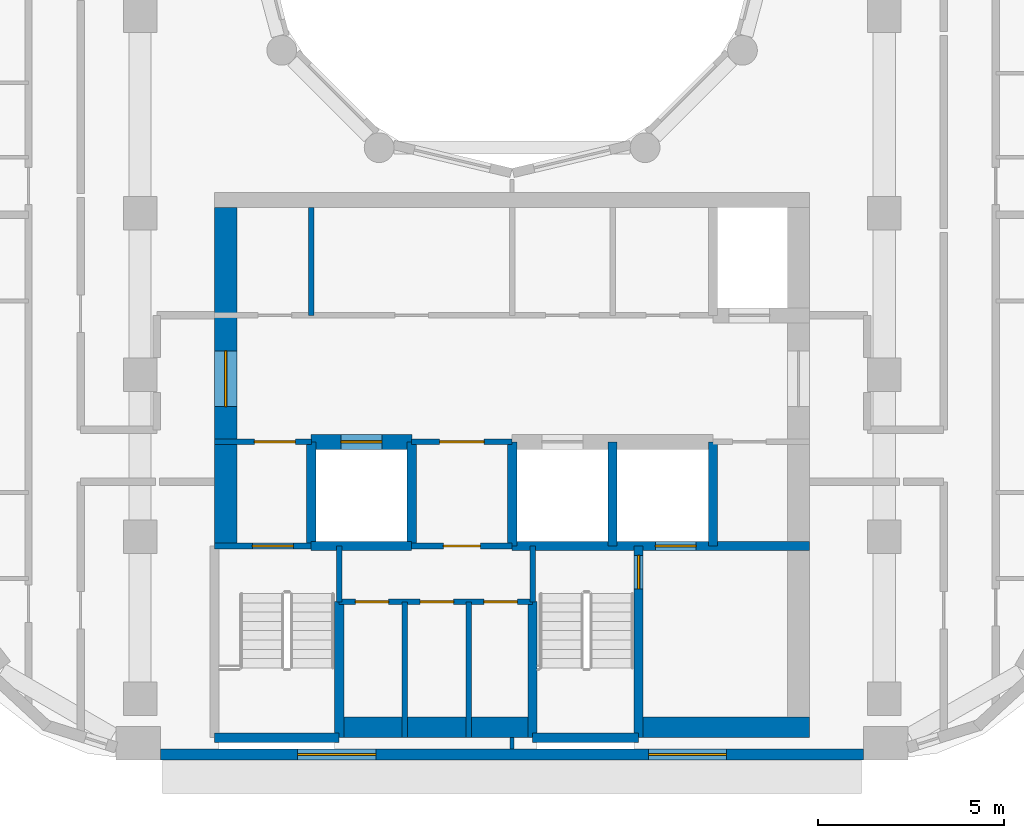
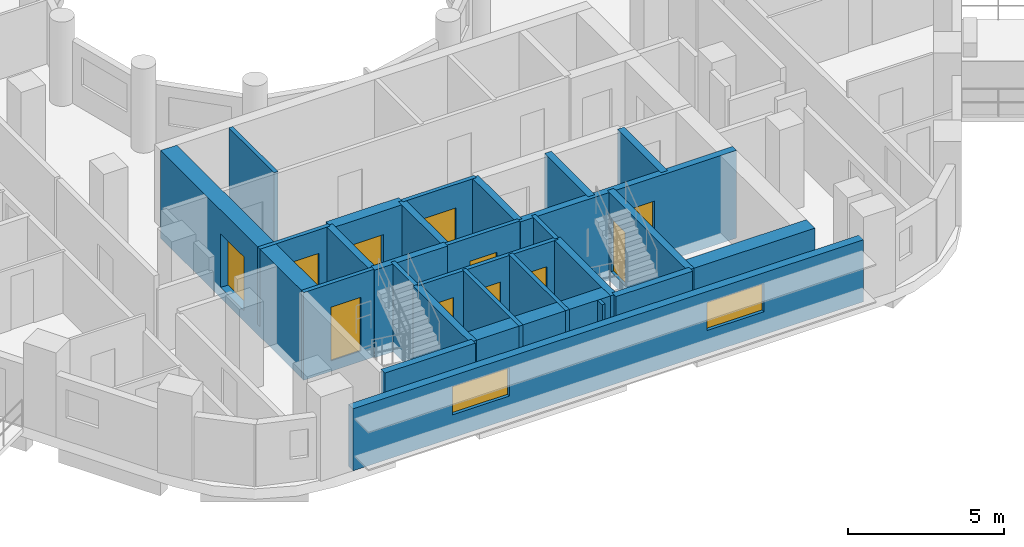
# One storey, part 3 of 18: 28 walls, 11 doors, 2 windows, 13 openings.
"""IFC4 building model written with IfcOpenShell, lengths in metres."""

from ifc_helpers import new_model, si_unit, direction, frame, frame_2d, origin, place, context, subcontext, project, spatial, rectangle, extrude, material, layer, layer_set, type_object, element, fill, save


model = new_model("IFC4")

# Units and contexts
model_context = context("Model", 3, precision=1e-05, world=origin(), true_north=direction((0.0, 1.0)))
body_context = subcontext(model_context, "Body", "Model", "MODEL_VIEW")
ifc_project = project(units=[si_unit("LENGTHUNIT", "METRE"), si_unit("AREAUNIT", "SQUARE_METRE"), si_unit("VOLUMEUNIT", "CUBIC_METRE"), si_unit("PLANEANGLEUNIT", "RADIAN"), si_unit("MASSUNIT", "GRAM", prefix="KILO")], contexts=[model_context])

# Site, building, storey
site_placement = place(None, origin())
site = spatial("IfcSite", under=ifc_project, at=site_placement, CompositionType="ELEMENT")
building_placement = place(site_placement, origin())
building = spatial("IfcBuilding", under=site, at=building_placement, Name="Nakaniwa Court", CompositionType="ELEMENT")
storey_placement = place(building_placement, frame((0.0, 0.0, 176.699951171875)))
storey = spatial("IfcBuildingStorey", under=building, at=storey_placement, Name="L45", CompositionType="ELEMENT", Elevation=176.699951171875)

# Wall, openings, windows
ifc_material_1 = material(Name="Charcoal ceramic cladding")
ifc_layer_1 = layer(ifc_material_1, 0.02, Name="Ceramic cladding")
ifc_material_2 = material(Name="Ventilated air cavity")
ifc_layer_2 = layer(ifc_material_2, 0.04, ventilated=True, Name="Ventilated cavity")
ifc_material_3 = material(Name="Mineral wool insulation")
ifc_layer_3 = layer(ifc_material_3, 0.1, Name="Insulation")
ifc_material_4 = material(Name="Cement bonded sheathing board")
ifc_layer_4 = layer(ifc_material_4, 0.012, Name="Sheathing")
ifc_material_5 = material(Name="Cold-formed galvanised stud frame with mineral wool infill")
ifc_layer_5 = layer(ifc_material_5, 0.1, Name="Stud frame")
ifc_material_6 = material(Name="Fire-rated gypsum plasterboard lining")
ifc_layer_6 = layer(ifc_material_6, 0.028, Name="Lining")
ifc_layer_set_1 = layer_set([ifc_layer_1, ifc_layer_2, ifc_layer_3, ifc_layer_4, ifc_layer_5, ifc_layer_6], Name="Charcoal ceramic faced external wall system")
wall_type_1 = type_object("IfcWallType", Name="Black ceramic faced external wall 300", PredefinedType="SOLIDWALL", material=ifc_layer_set_1)
wall_1_placement = place(storey_placement, frame((70.55078125, 57.5, 0.0), z_axis=(0.0, 0.0, 1.0), x_axis=(1.0, 0.0, 0.0)))
wall_1 = element("IfcWall", 1, at=wall_1_placement, inside=storey, type_object=wall_type_1, Name="L45 external wall 26", PredefinedType="SOLIDWALL", context=body_context, shape_type="SweptSolid", body=[
    extrude(rectangle(XDim=18.892822265625, YDim=0.300048828125, at=frame_2d((9.4462890625, 0.0))), origin(), (0.0, 0.0, 1.0), 2.425048828125),
])
opening_1_placement = place(wall_1_placement, frame((3.6865234375, 0.0, 0.89990234375)))
opening_1 = element("IfcOpeningElement", 2, at=opening_1_placement, cuts=wall_1, Name="Opening W7.26", PredefinedType="OPENING", context=body_context, shape_type="SweptSolid", body=[
    extrude(rectangle(XDim=2.10009765625, YDim=1.10009765625, at=frame_2d((1.050048828125, 0.550048828125))), frame((0.0, 0.159912109375, 0.0), z_axis=(0.0, -1.0, 0.0), x_axis=(1.0, 0.0, 0.0)), (0.0, 0.0, 1.0), 0.320068359375),
])
opening_2_placement = place(wall_1_placement, frame((13.10888671875, 0.0, 0.89990234375)))
opening_2 = element("IfcOpeningElement", 3, at=opening_2_placement, cuts=wall_1, Name="Opening W7.27", PredefinedType="OPENING", context=body_context, shape_type="SweptSolid", body=[
    extrude(rectangle(XDim=2.10009765625, YDim=1.10009765625, at=frame_2d((1.050048828125, 0.550048828125))), frame((0.0, 0.159912109375, 0.0), z_axis=(0.0, -1.0, 0.0), x_axis=(1.0, 0.0, 0.0)), (0.0, 0.0, 1.0), 0.320068359375),
])
ifc_material_7 = material(Name="Black anodised aluminium frame with dark low-E laminated double glazing", Category="aluminium")
window_type = type_object("IfcWindowType", Name="Dark glass window 2100x1100 sill 900", PartitioningType="SINGLE_PANEL", PredefinedType="WINDOW", material=ifc_material_7)
window_1_placement = place(opening_1_placement, origin())
window_1 = element("IfcWindow", 4, at=window_1_placement, inside=storey, type_object=window_type, Name="L45 habitable room window 26-0", OverallHeight=1.10009765625, OverallWidth=2.10009765625, PartitioningType="SINGLE_PANEL", PredefinedType="WINDOW", context=body_context, shape_type="SweptSolid", body=[
    extrude(rectangle(XDim=2.10009765625, YDim=1.10009765625, at=frame_2d((1.050048828125, 0.550048828125))), frame((0.0, 0.030029296875, 0.0), z_axis=(0.0, -1.0, 0.0), x_axis=(1.0, 0.0, 0.0)), (0.0, 0.0, 1.0), 0.06005859375),
])
fill(opening_1, window_1)
window_2_placement = place(opening_2_placement, origin())
window_2 = element("IfcWindow", 5, at=window_2_placement, inside=storey, type_object=window_type, Name="L45 habitable room window 26-1", OverallHeight=1.10009765625, OverallWidth=2.10009765625, PartitioningType="SINGLE_PANEL", PredefinedType="WINDOW", context=body_context, shape_type="SweptSolid", body=[
    extrude(rectangle(XDim=2.10009765625, YDim=1.10009765625, at=frame_2d((1.050048828125, 0.550048828125))), frame((0.0, 0.030029296875, 0.0), z_axis=(0.0, -1.0, 0.0), x_axis=(1.0, 0.0, 0.0)), (0.0, 0.0, 1.0), 0.06005859375),
])
fill(opening_2, window_2)

# Wall
ifc_material_8 = material(Name="Blockwork partition", Category="masonry")
ifc_layer_7 = layer(ifc_material_8, 0.14990234375)
ifc_layer_set_2 = layer_set([ifc_layer_7], Name="Blockwork partition")
wall_type_2 = type_object("IfcWallType", Name="Blockwork partition 150", PredefinedType="PARTITIONING", material=ifc_layer_set_2)
wall_2_placement = place(storey_placement, frame((74.60009765625, 69.300048828125, 0.0), z_axis=(0.0, 0.0, 1.0), x_axis=(0.0, 1.0, 0.0)))
element("IfcWall", 6, at=wall_2_placement, inside=storey, type_object=wall_type_2, Name="Partition PW-036", PredefinedType="PARTITIONING", context=body_context, shape_type="SweptSolid", body=[
    extrude(rectangle(XDim=2.89990234375, YDim=0.14990234375, at=frame_2d((1.449951171875, 0.0))), origin(), (0.0, 0.0, 1.0), 3.025146484375),
])

# Wall, opening, door
wall_3_placement = place(storey_placement, frame((74.60302734375, 65.89990234375, 0.0), z_axis=(0.0, 0.0, 1.0), x_axis=(-1.0, 0.0, 0.0)))
wall_3 = element("IfcWall", 7, at=wall_3_placement, inside=storey, type_object=wall_type_2, Name="Partition PW-045", PredefinedType="PARTITIONING", context=body_context, shape_type="SweptSolid", body=[
    extrude(rectangle(XDim=2.60302734375, YDim=0.14990234375, at=frame_2d((1.301513671875, 0.0))), origin(), (0.0, 0.0, 1.0), 3.025146484375),
])
opening_3_placement = place(wall_3_placement, frame((0.427978515625, 0.0, 0.0)))
opening_3 = element("IfcOpeningElement", 8, at=opening_3_placement, cuts=wall_3, Name="Opening D-08-02", PredefinedType="OPENING", context=body_context, shape_type="SweptSolid", body=[
    extrude(rectangle(XDim=1.10009765625, YDim=2.10009765625, at=frame_2d((0.550048828125, 1.050048828125))), frame((0.0, 0.0849609375, 0.0), z_axis=(0.0, -1.0, 0.0), x_axis=(1.0, 0.0, 0.0)), (0.0, 0.0, 1.0), 0.169921875),
])
ifc_material_9 = material(Name="Fire rated steel door set", Category="steel")
door_type_1 = type_object("IfcDoorType", Name="Stair lobby door 1100", OperationType="NOTDEFINED", PredefinedType="DOOR", material=ifc_material_9)
door_1_placement = place(opening_3_placement, origin())
door_1 = element("IfcDoor", 9, at=door_1_placement, inside=storey, type_object=door_type_1, Name="Door D-08-02 L45-018", OperationType="SINGLE_SWING_LEFT", OverallHeight=2.10009765625, OverallWidth=1.10009765625, PredefinedType="DOOR", context=body_context, shape_type="SweptSolid", body=[
    extrude(rectangle(XDim=1.10009765625, YDim=2.10009765625, at=frame_2d((0.550048828125, 1.050048828125))), frame((0.0, 0.02490234375, 0.0), z_axis=(0.0, -1.0, 0.0), x_axis=(1.0, 0.0, 0.0)), (0.0, 0.0, 1.0), 0.050048828125),
])
fill(opening_3, door_1)

wall_4_placement = place(storey_placement, frame((80.0029296875, 65.89990234375, 0.0), z_axis=(0.0, 0.0, 1.0), x_axis=(-1.0, 0.0, 0.0)))
wall_4 = element("IfcWall", 10, at=wall_4_placement, inside=storey, type_object=wall_type_2, Name="Partition PW-046", PredefinedType="PARTITIONING", context=body_context, shape_type="SweptSolid", body=[
    extrude(rectangle(XDim=2.705810546875, YDim=0.14990234375, at=frame_2d((1.35302734375, 0.0))), origin(), (0.0, 0.0, 1.0), 3.025146484375),
])
opening_4_placement = place(wall_4_placement, frame((0.7529296875, 0.0, 0.0)))
opening_4 = element("IfcOpeningElement", 11, at=opening_4_placement, cuts=wall_4, Name="Opening D-06-02", PredefinedType="OPENING", context=body_context, shape_type="SweptSolid", body=[
    extrude(rectangle(XDim=1.199951171875, YDim=2.10009765625, at=frame_2d((0.60009765625, 1.050048828125))), frame((0.0, 0.0849609375, 0.0), z_axis=(0.0, -1.0, 0.0), x_axis=(1.0, 0.0, 0.0)), (0.0, 0.0, 1.0), 0.169921875),
])
ifc_material_10 = material(Name="Fire rated steel double door set", Category="steel")
door_type_2 = type_object("IfcDoorType", Name="Service passage double door 1200", OperationType="NOTDEFINED", PredefinedType="DOOR", material=ifc_material_10)
door_2_placement = place(opening_4_placement, origin())
door_2 = element("IfcDoor", 12, at=door_2_placement, inside=storey, type_object=door_type_2, Name="Door D-06-02 L45-019", OperationType="DOUBLE_DOOR_SINGLE_SWING", OverallHeight=2.10009765625, OverallWidth=1.199951171875, PredefinedType="DOOR", context=body_context, shape_type="SweptSolid", body=[
    extrude(rectangle(XDim=1.199951171875, YDim=2.10009765625, at=frame_2d((0.60009765625, 1.050048828125))), frame((0.0, 0.02490234375, 0.0), z_axis=(0.0, -1.0, 0.0), x_axis=(1.0, 0.0, 0.0)), (0.0, 0.0, 1.0), 0.050048828125),
])
fill(opening_4, door_2)

wall_5_placement = place(storey_placement, frame((80.0, 63.10009765625, 0.0), z_axis=(0.0, 0.0, 1.0), x_axis=(-1.0, 0.0, 0.0)))
wall_5 = element("IfcWall", 13, at=wall_5_placement, inside=storey, type_object=wall_type_2, Name="Partition PW-056", PredefinedType="PARTITIONING", context=body_context, shape_type="SweptSolid", body=[
    extrude(rectangle(XDim=2.699951171875, YDim=0.14990234375, at=frame_2d((1.35009765625, 0.0))), origin(), (0.0, 0.0, 1.0), 3.025146484375),
])
opening_5_placement = place(wall_5_placement, frame((0.85009765625, 0.0, 0.0)))
opening_5 = element("IfcOpeningElement", 14, at=opening_5_placement, cuts=wall_5, Name="Opening D-23-02", PredefinedType="OPENING", context=body_context, shape_type="SweptSolid", body=[
    extrude(rectangle(XDim=1.0, YDim=2.10009765625, at=frame_2d((0.5, 1.050048828125))), frame((0.0, 0.0849609375, 0.0), z_axis=(0.0, -1.0, 0.0), x_axis=(1.0, 0.0, 0.0)), (0.0, 0.0, 1.0), 0.169921875),
])
door_type_3 = type_object("IfcDoorType", Name="Service room door 1000", OperationType="NOTDEFINED", PredefinedType="DOOR", material=ifc_material_9)
door_3_placement = place(opening_5_placement, origin())
door_3 = element("IfcDoor", 15, at=door_3_placement, inside=storey, type_object=door_type_3, Name="Door D-23-02 L45-021", OperationType="SINGLE_SWING_RIGHT", OverallHeight=2.10009765625, OverallWidth=1.0, PredefinedType="DOOR", context=body_context, shape_type="SweptSolid", body=[
    extrude(rectangle(XDim=1.0, YDim=2.10009765625, at=frame_2d((0.5, 1.050048828125))), frame((0.0, 0.02490234375, 0.0), z_axis=(0.0, -1.0, 0.0), x_axis=(1.0, 0.0, 0.0)), (0.0, 0.0, 1.0), 0.050048828125),
])
fill(opening_5, door_3)

# Wall, openings, doors
wall_6_placement = place(storey_placement, frame((80.550048828125, 61.60009765625, 0.0), z_axis=(0.0, 0.0, 1.0), x_axis=(-1.0, 0.0, 0.0)))
wall_6 = element("IfcWall", 16, at=wall_6_placement, inside=storey, type_object=wall_type_2, Name="Partition PW-068", PredefinedType="PARTITIONING", context=body_context, shape_type="SweptSolid", body=[
    extrude(rectangle(XDim=5.199951171875, YDim=0.14990234375, at=frame_2d((2.60009765625, 0.0))), origin(), (0.0, 0.0, 1.0), 3.025146484375),
])
opening_6_placement = place(wall_6_placement, frame((3.865966796875, 0.0, 0.0)))
opening_6 = element("IfcOpeningElement", 17, at=opening_6_placement, cuts=wall_6, Name="Opening D-05-14", PredefinedType="OPENING", context=body_context, shape_type="SweptSolid", body=[
    extrude(rectangle(XDim=0.89990234375, YDim=2.10009765625, at=frame_2d((0.449951171875, 1.050048828125))), frame((0.0, 0.0849609375, 0.0), z_axis=(0.0, -1.0, 0.0), x_axis=(1.0, 0.0, 0.0)), (0.0, 0.0, 1.0), 0.169921875),
])
opening_7_placement = place(wall_6_placement, frame((2.1240234375, 0.0, 0.0)))
opening_7 = element("IfcOpeningElement", 18, at=opening_7_placement, cuts=wall_6, Name="Opening D-05-15", PredefinedType="OPENING", context=body_context, shape_type="SweptSolid", body=[
    extrude(rectangle(XDim=0.89990234375, YDim=2.10009765625, at=frame_2d((0.449951171875, 1.050048828125))), frame((0.0, 0.0849609375, 0.0), z_axis=(0.0, -1.0, 0.0), x_axis=(1.0, 0.0, 0.0)), (0.0, 0.0, 1.0), 0.169921875),
])
opening_8_placement = place(wall_6_placement, frame((0.407958984375, 0.0, 0.0)))
opening_8 = element("IfcOpeningElement", 19, at=opening_8_placement, cuts=wall_6, Name="Opening D-05-16", PredefinedType="OPENING", context=body_context, shape_type="SweptSolid", body=[
    extrude(rectangle(XDim=0.89990234375, YDim=2.10009765625, at=frame_2d((0.449951171875, 1.050048828125))), frame((0.0, 0.0849609375, 0.0), z_axis=(0.0, -1.0, 0.0), x_axis=(1.0, 0.0, 0.0)), (0.0, 0.0, 1.0), 0.169921875),
])
door_type_4 = type_object("IfcDoorType", Name="Service room door 900", OperationType="NOTDEFINED", PredefinedType="DOOR", material=ifc_material_9)
door_4_placement = place(opening_6_placement, origin())
door_4 = element("IfcDoor", 20, at=door_4_placement, inside=storey, type_object=door_type_4, Name="Door D-05-14 L45-022", OperationType="SINGLE_SWING_LEFT", OverallHeight=2.10009765625, OverallWidth=0.89990234375, PredefinedType="DOOR", context=body_context, shape_type="SweptSolid", body=[
    extrude(rectangle(XDim=0.89990234375, YDim=2.10009765625, at=frame_2d((0.449951171875, 1.050048828125))), frame((0.0, 0.02490234375, 0.0), z_axis=(0.0, -1.0, 0.0), x_axis=(1.0, 0.0, 0.0)), (0.0, 0.0, 1.0), 0.050048828125),
])
fill(opening_6, door_4)
door_5_placement = place(opening_7_placement, origin())
door_5 = element("IfcDoor", 21, at=door_5_placement, inside=storey, type_object=door_type_4, Name="Door D-05-15 L45-023", OperationType="SINGLE_SWING_RIGHT", OverallHeight=2.10009765625, OverallWidth=0.89990234375, PredefinedType="DOOR", context=body_context, shape_type="SweptSolid", body=[
    extrude(rectangle(XDim=0.89990234375, YDim=2.10009765625, at=frame_2d((0.449951171875, 1.050048828125))), frame((0.0, 0.02490234375, 0.0), z_axis=(0.0, -1.0, 0.0), x_axis=(1.0, 0.0, 0.0)), (0.0, 0.0, 1.0), 0.050048828125),
])
fill(opening_7, door_5)
door_6_placement = place(opening_8_placement, origin())
door_6 = element("IfcDoor", 22, at=door_6_placement, inside=storey, type_object=door_type_4, Name="Door D-05-16 L45-024", OperationType="SINGLE_SWING_LEFT", OverallHeight=2.10009765625, OverallWidth=0.89990234375, PredefinedType="DOOR", context=body_context, shape_type="SweptSolid", body=[
    extrude(rectangle(XDim=0.89990234375, YDim=2.10009765625, at=frame_2d((0.449951171875, 1.050048828125))), frame((0.0, 0.02490234375, 0.0), z_axis=(0.0, -1.0, 0.0), x_axis=(1.0, 0.0, 0.0)), (0.0, 0.0, 1.0), 0.050048828125),
])
fill(opening_8, door_6)

# Walls
for number, where, z_axis, x_axis, name in (
    (23, (77.117919921875, 57.949951171875, 0.0), (0.0, 0.0, 1.0), (0.0, 1.0, 0.0), "Partition PW-069"),
    (24, (78.833984375, 57.949951171875, 0.0), (0.0, 0.0, 1.0), (0.0, 1.0, 0.0), "Partition PW-070"),
):
    element("IfcWall", number, at=place(storey_placement, frame(where, z_axis=z_axis, x_axis=x_axis)), inside=storey, type_object=wall_type_2, Name=name, PredefinedType="PARTITIONING", context=body_context, shape_type="SweptSolid", body=[
        extrude(rectangle(XDim=3.650146484375, YDim=0.14990234375, at=frame_2d((1.8251953125, 0.0))), origin(), (0.0, 0.0, 1.0), 3.025146484375),
    ])

# Wall, opening, door
ifc_material_11 = material(Name="Concrete C80/100", Category="concrete")
ifc_layer_8 = layer(ifc_material_11, 0.60009765625)
ifc_layer_set_3 = layer_set([ifc_layer_8], Name="Concrete C80/100")
wall_type_3 = type_object("IfcWallType", Name="Concrete core side wall 600 C80", PredefinedType="SHEAR", material=ifc_layer_set_3)
wall_7_placement = place(storey_placement, frame((72.300048828125, 63.10009765625, -0.409912109375), z_axis=(0.0, 0.0, 1.0), x_axis=(0.0, 1.0, 0.0)))
wall_7 = element("IfcWall", 25, at=wall_7_placement, inside=storey, type_object=wall_type_3, Name="Core wall SW-38", PredefinedType="SHEAR", context=body_context, shape_type="SweptSolid", body=[
    extrude(rectangle(XDim=9.099853515625, YDim=0.60009765625, at=frame_2d((4.5498046875, 0.0))), origin(), (0.0, 0.0, 1.0), 3.43505859375),
])
opening_9_placement = place(wall_7_placement, frame((3.748046875, 0.0, 0.409912109375)))
opening_9 = element("IfcOpeningElement", 26, at=opening_9_placement, cuts=wall_7, Name="Opening D-07-04", PredefinedType="OPENING", context=body_context, shape_type="SweptSolid", body=[
    extrude(rectangle(XDim=1.5, YDim=2.10009765625, at=frame_2d((0.75, 1.050048828125))), frame((0.0, 0.31005859375, 0.0), z_axis=(0.0, -1.0, 0.0), x_axis=(1.0, 0.0, 0.0)), (0.0, 0.0, 1.0), 0.6201171875),
])
ifc_material_12 = material(Name="Glazed fire rated steel double door set", Category="steel")
door_type_5 = type_object("IfcDoorType", Name="Lobby double door 1500", OperationType="NOTDEFINED", PredefinedType="DOOR", material=ifc_material_12)
door_7_placement = place(opening_9_placement, origin())
door_7 = element("IfcDoor", 27, at=door_7_placement, inside=storey, type_object=door_type_5, Name="Door D-07-04 L45-066", OperationType="DOUBLE_DOOR_SINGLE_SWING", OverallHeight=2.10009765625, OverallWidth=1.5, PredefinedType="DOOR", context=body_context, shape_type="SweptSolid", body=[
    extrude(rectangle(XDim=1.5, YDim=2.10009765625, at=frame_2d((0.75, 1.050048828125))), frame((0.0, 0.02490234375, 0.0), z_axis=(0.0, -1.0, 0.0), x_axis=(1.0, 0.0, 0.0)), (0.0, 0.0, 1.0), 0.050048828125),
])
fill(opening_9, door_7)

ifc_layer_9 = layer(ifc_material_11, 0.39990234375)
ifc_layer_set_4 = layer_set([ifc_layer_9], Name="Concrete C80/100")
wall_type_4 = type_object("IfcWallType", Name="Concrete core spine wall 400 C80", PredefinedType="SHEAR", material=ifc_layer_set_4)
wall_8_placement = place(storey_placement, frame((74.596923828125, 65.89990234375, -0.409912109375), z_axis=(0.0, 0.0, 1.0), x_axis=(1.0, 0.0, 0.0)))
wall_8 = element("IfcWall", 28, at=wall_8_placement, inside=storey, type_object=wall_type_4, Name="Core wall SW-48", PredefinedType="SHEAR", context=body_context, shape_type="SweptSolid", body=[
    extrude(rectangle(XDim=2.7060546875, YDim=0.39990234375, at=frame_2d((1.35302734375, 0.0))), origin(), (0.0, 0.0, 1.0), 3.43505859375),
])
opening_10_placement = place(wall_8_placement, frame((0.802978515625, 0.0, 0.409912109375)))
opening_10 = element("IfcOpeningElement", 29, at=opening_10_placement, cuts=wall_8, Name="Opening LD06", PredefinedType="OPENING", context=body_context, shape_type="SweptSolid", body=[
    extrude(rectangle(XDim=1.10009765625, YDim=2.10009765625, at=frame_2d((0.550048828125, 1.050048828125))), frame((0.0, 0.2099609375, 0.0), z_axis=(0.0, -1.0, 0.0), x_axis=(1.0, 0.0, 0.0)), (0.0, 0.0, 1.0), 0.419921875),
])
ifc_material_13 = material(Name="Stainless steel sliding lift landing door", Category="steel")
door_type_6 = type_object("IfcDoorType", Name="Lift landing door 1100", OperationType="NOTDEFINED", PredefinedType="DOOR", material=ifc_material_13)
door_8_placement = place(opening_10_placement, origin())
door_8 = element("IfcDoor", 30, at=door_8_placement, inside=storey, type_object=door_type_6, Name="Lift landing door LD06 L45-006", OperationType="SLIDING_TO_LEFT", OverallHeight=2.10009765625, OverallWidth=1.10009765625, PredefinedType="DOOR", context=body_context, shape_type="SweptSolid", body=[
    extrude(rectangle(XDim=1.10009765625, YDim=2.10009765625, at=frame_2d((0.550048828125, 1.050048828125))), frame((0.0, 0.02490234375, 0.0), z_axis=(0.0, -1.0, 0.0), x_axis=(1.0, 0.0, 0.0)), (0.0, 0.0, 1.0), 0.050048828125),
])
fill(opening_10, door_8)

ifc_layer_10 = layer(ifc_material_11, 0.14990234375)
ifc_layer_set_5 = layer_set([ifc_layer_10], Name="Concrete C80/100")
wall_type_5 = type_object("IfcWallType", Name="Concrete core wall 150 C80", PredefinedType="SHEAR", material=ifc_layer_set_5)
wall_9_placement = place(storey_placement, frame((72.0, 63.10009765625, -0.409912109375), z_axis=(0.0, 0.0, 1.0), x_axis=(1.0, 0.0, 0.0)))
wall_9 = element("IfcWall", 31, at=wall_9_placement, inside=storey, type_object=wall_type_5, Name="Core wall SW-51", PredefinedType="SHEAR", context=body_context, shape_type="SweptSolid", body=[
    extrude(rectangle(XDim=2.60009765625, YDim=0.14990234375, at=frame_2d((1.300048828125, 0.0))), origin(), (0.0, 0.0, 1.0), 3.43505859375),
])
opening_11_placement = place(wall_9_placement, frame((1.02001953125, 0.0, 0.409912109375)))
opening_11 = element("IfcOpeningElement", 32, at=opening_11_placement, cuts=wall_9, Name="Opening D-09-02", PredefinedType="OPENING", context=body_context, shape_type="SweptSolid", body=[
    extrude(rectangle(XDim=1.10009765625, YDim=2.10009765625, at=frame_2d((0.550048828125, 1.050048828125))), frame((0.0, 0.0849609375, 0.0), z_axis=(0.0, -1.0, 0.0), x_axis=(1.0, 0.0, 0.0)), (0.0, 0.0, 1.0), 0.169921875),
])
door_type_7 = type_object("IfcDoorType", Name="Stair door 1100", OperationType="NOTDEFINED", PredefinedType="DOOR", material=ifc_material_9)
door_9_placement = place(opening_11_placement, origin())
door_9 = element("IfcDoor", 33, at=door_9_placement, inside=storey, type_object=door_type_7, Name="Door D-09-02 L45-025", OperationType="SINGLE_SWING_LEFT", OverallHeight=2.10009765625, OverallWidth=1.10009765625, PredefinedType="DOOR", context=body_context, shape_type="SweptSolid", body=[
    extrude(rectangle(XDim=1.10009765625, YDim=2.10009765625, at=frame_2d((0.550048828125, 1.050048828125))), frame((0.0, 0.02490234375, 0.0), z_axis=(0.0, -1.0, 0.0), x_axis=(1.0, 0.0, 0.0)), (0.0, 0.0, 1.0), 0.050048828125),
])
fill(opening_11, door_9)

# Walls
for number, where, z_axis, x_axis, name in (
    (34, (75.35009765625, 61.596923828125, -0.409912109375), (0.0, 0.0, 1.0), (0.0, 1.0, 0.0), "Core wall SW-58"),
    (35, (80.550048828125, 61.596923828125, -0.409912109375), (0.0, 0.0, 1.0), (0.0, 1.0, 0.0), "Core wall SW-64"),
):
    element("IfcWall", number, at=place(storey_placement, frame(where, z_axis=z_axis, x_axis=x_axis)), inside=storey, type_object=wall_type_5, Name=name, PredefinedType="SHEAR", context=body_context, shape_type="SweptSolid", body=[
        extrude(rectangle(XDim=1.503173828125, YDim=0.14990234375, at=frame_2d((0.75146484375, 0.0))), origin(), (0.0, 0.0, 1.0), 3.43505859375),
    ])
ifc_layer_11 = layer(ifc_material_11, 0.25)
ifc_layer_set_6 = layer_set([ifc_layer_11], Name="Concrete C80/100")
wall_type_6 = type_object("IfcWallType", Name="Concrete core wall 250 C80", PredefinedType="SHEAR", material=ifc_layer_set_6)
wall_10_placement = place(storey_placement, frame((72.0, 57.949951171875, 0.0), z_axis=(0.0, 0.0, 1.0), x_axis=(1.0, 0.0, 0.0)))
element("IfcWall", 36, at=wall_10_placement, inside=storey, type_object=wall_type_6, Name="Core wall SW-61", PredefinedType="SHEAR", context=body_context, shape_type="SweptSolid", body=[
    extrude(rectangle(XDim=3.35009765625, YDim=0.25, at=frame_2d((1.675048828125, 0.0))), origin(), (0.0, 0.0, 1.0), 3.025146484375),
])
wall_11_placement = place(storey_placement, frame((80.550048828125, 57.949951171875, 0.0), z_axis=(0.0, 0.0, 1.0), x_axis=(1.0, 0.0, 0.0)))
element("IfcWall", 37, at=wall_11_placement, inside=storey, type_object=wall_type_6, Name="Core wall SW-62", PredefinedType="SHEAR", context=body_context, shape_type="SweptSolid", body=[
    extrude(rectangle(XDim=2.849853515625, YDim=0.25, at=frame_2d((1.4248046875, 0.0))), origin(), (0.0, 0.0, 1.0), 3.025146484375),
])
ifc_layer_12 = layer(ifc_material_11, 0.550048828125)
ifc_layer_set_7 = layer_set([ifc_layer_12], Name="Concrete C80/100")
wall_type_7 = type_object("IfcWallType", Name="Concrete core wall 550 C80", PredefinedType="SHEAR", material=ifc_layer_set_7)
wall_12_placement = place(storey_placement, frame((75.35009765625, 58.22509765625, 0.0), z_axis=(0.0, 0.0, 1.0), x_axis=(1.0, 0.0, 0.0)))
element("IfcWall", 38, at=wall_12_placement, inside=storey, type_object=wall_type_7, Name="Core wall SW-66", PredefinedType="SHEAR", context=body_context, shape_type="SweptSolid", body=[
    extrude(rectangle(XDim=5.199951171875, YDim=0.550048828125, at=frame_2d((2.60009765625, 0.0))), origin(), (0.0, 0.0, 1.0), 3.025146484375),
])
wall_13_placement = place(storey_placement, frame((83.39990234375, 58.22509765625, 0.0), z_axis=(0.0, 0.0, 1.0), x_axis=(1.0, 0.0, 0.0)))
element("IfcWall", 39, at=wall_13_placement, inside=storey, type_object=wall_type_7, Name="Core wall SW-67", PredefinedType="SHEAR", context=body_context, shape_type="SweptSolid", body=[
    extrude(rectangle(XDim=4.60009765625, YDim=0.550048828125, at=frame_2d((2.300048828125, 0.0))), origin(), (0.0, 0.0, 1.0), 3.025146484375),
])
ifc_layer_13 = layer(ifc_material_11, 0.25)
ifc_layer_set_8 = layer_set([ifc_layer_13], Name="Concrete C80/100")
wall_type_8 = type_object("IfcWallType", Name="Concrete shaft wall 250 C80", PredefinedType="SHEAR", material=ifc_layer_set_8)
for number, where, z_axis, x_axis, name in (
    (40, (85.39990234375, 63.10009765625, -0.409912109375), (0.0, 0.0, 1.0), (0.0, 1.0, 0.0), "Core wall SW-39"),
    (41, (74.60009765625, 63.10009765625, -0.409912109375), (0.0, 0.0, 1.0), (0.0, 1.0, 0.0), "Core wall SW-50"),
    (42, (77.300048828125, 63.10009765625, -0.409912109375), (0.0, 0.0, 1.0), (0.0, 1.0, 0.0), "Core wall SW-52"),
):
    element("IfcWall", number, at=place(storey_placement, frame(where, z_axis=z_axis, x_axis=x_axis)), inside=storey, type_object=wall_type_8, Name=name, PredefinedType="SHEAR", context=body_context, shape_type="SweptSolid", body=[
        extrude(rectangle(XDim=2.7998046875, YDim=0.25, at=frame_2d((1.39990234375, 0.0))), origin(), (0.0, 0.0, 1.0), 3.43505859375),
    ])
wall_14_placement = place(storey_placement, frame((74.60009765625, 63.10009765625, -0.409912109375), z_axis=(0.0, 0.0, 1.0), x_axis=(1.0, 0.0, 0.0)))
element("IfcWall", 43, at=wall_14_placement, inside=storey, type_object=wall_type_8, Name="Core wall SW-53", PredefinedType="SHEAR", context=body_context, shape_type="SweptSolid", body=[
    extrude(rectangle(XDim=2.699951171875, YDim=0.25, at=frame_2d((1.35009765625, 0.0))), origin(), (0.0, 0.0, 1.0), 3.43505859375),
])

# Wall, opening, door
wall_15_placement = place(storey_placement, frame((80.0, 63.10009765625, -0.409912109375), z_axis=(0.0, 0.0, 1.0), x_axis=(1.0, 0.0, 0.0)))
wall_15 = element("IfcWall", 44, at=wall_15_placement, inside=storey, type_object=wall_type_8, Name="Core wall SW-54", PredefinedType="SHEAR", context=body_context, shape_type="SweptSolid", body=[
    extrude(rectangle(XDim=8.0, YDim=0.25, at=frame_2d((4.0, 0.0))), origin(), (0.0, 0.0, 1.0), 3.43505859375),
])
opening_12_placement = place(wall_15_placement, frame((3.84912109375, 0.0, 0.409912109375)))
opening_12 = element("IfcOpeningElement", 45, at=opening_12_placement, cuts=wall_15, Name="Opening LD08", PredefinedType="OPENING", context=body_context, shape_type="SweptSolid", body=[
    extrude(rectangle(XDim=1.10009765625, YDim=2.10009765625, at=frame_2d((0.550048828125, 1.050048828125))), frame((0.0, 0.135009765625, 0.0), z_axis=(0.0, -1.0, 0.0), x_axis=(1.0, 0.0, 0.0)), (0.0, 0.0, 1.0), 0.27001953125),
])
door_10_placement = place(opening_12_placement, origin())
door_10 = element("IfcDoor", 46, at=door_10_placement, inside=storey, type_object=door_type_6, Name="Lift landing door LD08 L45-008", OperationType="SLIDING_TO_LEFT", OverallHeight=2.10009765625, OverallWidth=1.10009765625, PredefinedType="DOOR", context=body_context, shape_type="SweptSolid", body=[
    extrude(rectangle(XDim=1.10009765625, YDim=2.10009765625, at=frame_2d((0.550048828125, 1.050048828125))), frame((0.0, 0.02490234375, 0.0), z_axis=(0.0, -1.0, 0.0), x_axis=(1.0, 0.0, 0.0)), (0.0, 0.0, 1.0), 0.050048828125),
])
fill(opening_12, door_10)

# Walls
for number, where, z_axis, x_axis, name in (
    (47, (80.0, 63.10009765625, -0.409912109375), (0.0, 0.0, 1.0), (0.0, 1.0, 0.0), "Core wall SW-55"),
    (48, (82.699951171875, 63.10009765625, -0.409912109375), (0.0, 0.0, 1.0), (0.0, 1.0, 0.0), "Core wall SW-57"),
):
    element("IfcWall", number, at=place(storey_placement, frame(where, z_axis=z_axis, x_axis=x_axis)), inside=storey, type_object=wall_type_8, Name=name, PredefinedType="SHEAR", context=body_context, shape_type="SweptSolid", body=[
        extrude(rectangle(XDim=2.7998046875, YDim=0.25, at=frame_2d((1.39990234375, 0.0))), origin(), (0.0, 0.0, 1.0), 3.43505859375),
    ])
wall_16_placement = place(storey_placement, frame((75.35009765625, 57.949951171875, -0.409912109375), z_axis=(0.0, 0.0, 1.0), x_axis=(0.0, 1.0, 0.0)))
element("IfcWall", 49, at=wall_16_placement, inside=storey, type_object=wall_type_8, Name="Core wall SW-59", PredefinedType="SHEAR", context=body_context, shape_type="SweptSolid", body=[
    extrude(rectangle(XDim=3.653076171875, YDim=0.25, at=frame_2d((1.82666015625, 0.0))), origin(), (0.0, 0.0, 1.0), 3.43505859375),
])

# Wall, opening, door
wall_17_placement = place(storey_placement, frame((83.39990234375, 63.10009765625, -0.409912109375), z_axis=(0.0, 0.0, 1.0), x_axis=(0.0, -1.0, 0.0)))
wall_17 = element("IfcWall", 50, at=wall_17_placement, inside=storey, type_object=wall_type_8, Name="Core wall SW-63", PredefinedType="SHEAR", context=body_context, shape_type="SweptSolid", body=[
    extrude(rectangle(XDim=5.150146484375, YDim=0.25, at=frame_2d((2.5751953125, 0.0))), origin(), (0.0, 0.0, 1.0), 3.43505859375),
])
opening_13_placement = place(wall_17_placement, frame((0.25, 0.0, 0.409912109375)))
opening_13 = element("IfcOpeningElement", 51, at=opening_13_placement, cuts=wall_17, Name="Opening D-11-02", PredefinedType="OPENING", context=body_context, shape_type="SweptSolid", body=[
    extrude(rectangle(XDim=0.89990234375, YDim=2.10009765625, at=frame_2d((0.449951171875, 1.050048828125))), frame((0.0, 0.135009765625, 0.0), z_axis=(0.0, -1.0, 0.0), x_axis=(1.0, 0.0, 0.0)), (0.0, 0.0, 1.0), 0.27001953125),
])
door_type_8 = type_object("IfcDoorType", Name="Stair door 900", OperationType="NOTDEFINED", PredefinedType="DOOR", material=ifc_material_9)
door_11_placement = place(opening_13_placement, origin())
door_11 = element("IfcDoor", 52, at=door_11_placement, inside=storey, type_object=door_type_8, Name="Door D-11-02 L45-026", OperationType="SINGLE_SWING_RIGHT", OverallHeight=2.10009765625, OverallWidth=0.89990234375, PredefinedType="DOOR", context=body_context, shape_type="SweptSolid", body=[
    extrude(rectangle(XDim=0.89990234375, YDim=2.10009765625, at=frame_2d((0.449951171875, 1.050048828125))), frame((0.0, 0.02490234375, 0.0), z_axis=(0.0, -1.0, 0.0), x_axis=(1.0, 0.0, 0.0)), (0.0, 0.0, 1.0), 0.050048828125),
])
fill(opening_13, door_11)

# Walls
wall_18_placement = place(storey_placement, frame((80.550048828125, 57.949951171875, -0.409912109375), z_axis=(0.0, 0.0, 1.0), x_axis=(0.0, 1.0, 0.0)))
element("IfcWall", 53, at=wall_18_placement, inside=storey, type_object=wall_type_8, Name="Core wall SW-65", PredefinedType="SHEAR", context=body_context, shape_type="SweptSolid", body=[
    extrude(rectangle(XDim=3.653076171875, YDim=0.25, at=frame_2d((1.82666015625, 0.0))), origin(), (0.0, 0.0, 1.0), 3.43505859375),
])
ifc_material_14 = material(Name="Single stud plasterboard partition")
ifc_layer_14 = layer(ifc_material_14, 0.10009765625)
ifc_layer_set_9 = layer_set([ifc_layer_14], Name="Single stud plasterboard partition")
wall_type_9 = type_object("IfcWallType", Name="Single stud plasterboard partition 100", PredefinedType="PARTITIONING", material=ifc_layer_set_9)
wall_19_placement = place(storey_placement, frame((80.0, 57.64990234375, 0.0), z_axis=(0.0, 0.0, 1.0), x_axis=(0.0, 1.0, 0.0)))
element("IfcWall", 54, at=wall_19_placement, inside=storey, type_object=wall_type_9, Name="Partition PW-109", PredefinedType="PARTITIONING", context=body_context, shape_type="SweptSolid", body=[
    extrude(rectangle(XDim=0.300048828125, YDim=0.10009765625, at=frame_2d((0.14990234375, 0.0))), origin(), (0.0, 0.0, 1.0), 3.025146484375),
])

save(model, "model.ifc")
